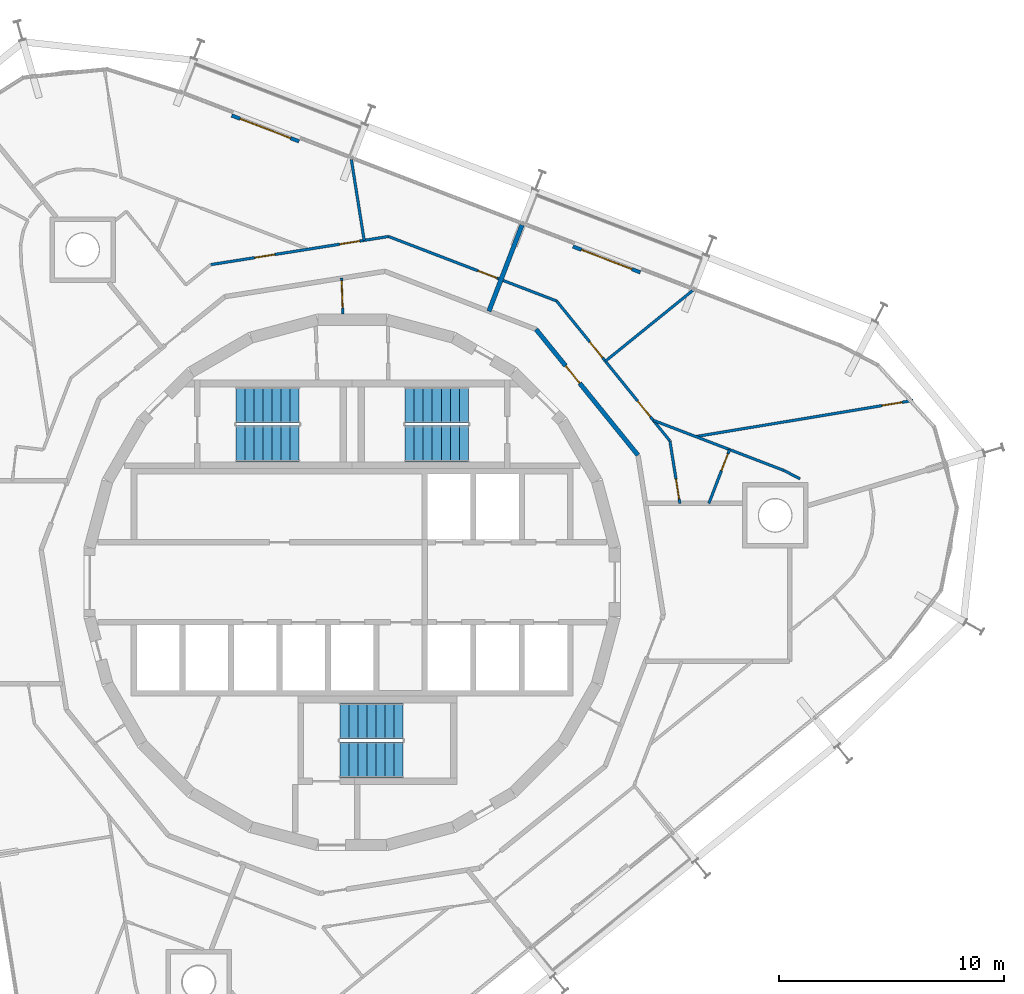
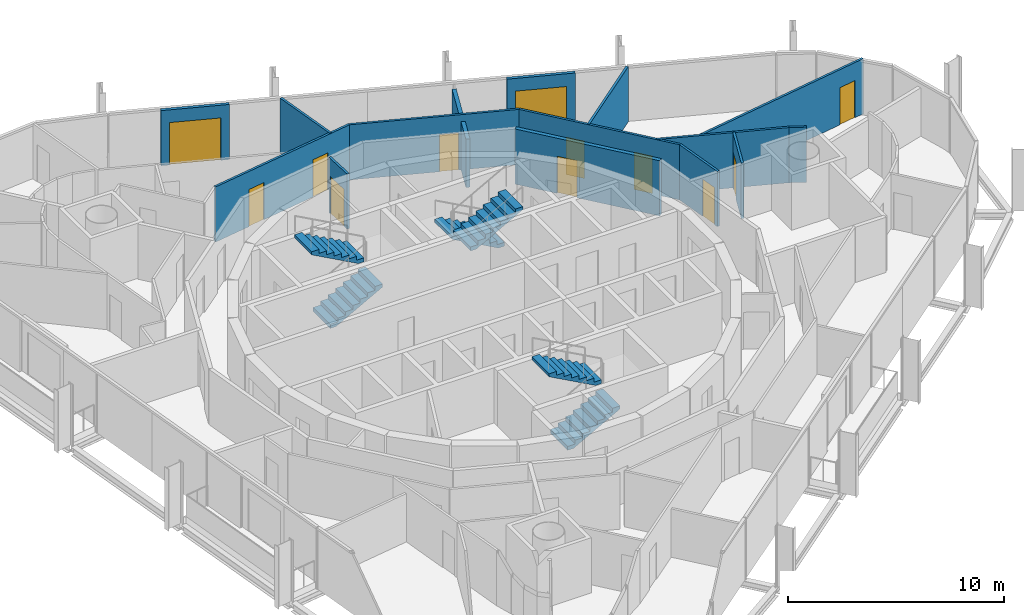
# One storey, part 16 of 17: 15 walls, 12 doors, 6 stair flights, 12 openings, 3 elements without a shape of their own.
"""IFC4 building model written with IfcOpenShell, lengths in metres."""

from ifc_helpers import new_model, si_unit, direction, frame, frame_2d, origin, place, context, subcontext, project, spatial, polyline, rectangle, outline, extrude, material, layer, layer_set, type_object, element, fill, aggregate, save


model = new_model("IFC4")

# Units and contexts
model_context = context("Model", 3, precision=1e-05, world=origin(), true_north=direction((0.0, 1.0)))
body_context = subcontext(model_context, "Body", "Model", "MODEL_VIEW")
ifc_project = project(units=[si_unit("LENGTHUNIT", "METRE"), si_unit("AREAUNIT", "SQUARE_METRE"), si_unit("VOLUMEUNIT", "CUBIC_METRE"), si_unit("PLANEANGLEUNIT", "RADIAN"), si_unit("MASSUNIT", "GRAM", prefix="KILO")], contexts=[model_context])

# Site, building, storey
site_placement = place(None, origin())
site = spatial("IfcSite", under=ifc_project, at=site_placement, CompositionType="ELEMENT")
building_placement = place(site_placement, origin())
building = spatial("IfcBuilding", under=site, at=building_placement, Name="Spindle Arch Residences", CompositionType="ELEMENT")
storey_placement = place(building_placement, frame((0.0, 0.0, 266.89990234375)))
storey = spatial("IfcBuildingStorey", under=building, at=storey_placement, Name="L68", CompositionType="ELEMENT", Elevation=266.89990234375)

# Wall, opening, door
ifc_material_1 = material(Name="Plasterboard on steel studs", Category="steel")
ifc_layer_1 = layer(ifc_material_1, 0.1201171875)
ifc_layer_set_1 = layer_set([ifc_layer_1], Name="Corridor division wall 120")
wall_type_1 = type_object("IfcWallType", Name="Corridor division wall 120", PredefinedType="PARTITIONING", material=ifc_layer_set_1)
wall_1_placement = place(storey_placement, frame((-0.47119140625, 13.492431640625, 0.0), z_axis=(0.0, 0.0, 1.0), x_axis=(0.034873173869, -0.999391745886, 0.0)))
wall_1 = element("IfcWall", 1, at=wall_1_placement, inside=storey, type_object=wall_type_1, Name="Corridor division wall R7A1-W001", PredefinedType="PARTITIONING", context=body_context, shape_type="SweptSolid", body=[
    extrude(rectangle(XDim=1.59619140625, YDim=0.1201171875, at=frame_2d((0.798095703125, 0.0))), origin(), (0.0, 0.0, 1.0), 3.1201171875),
])
opening_1_placement = place(wall_1_placement, frame((0.1201171875, 0.0, 0.0)))
opening_1 = element("IfcOpeningElement", 2, at=opening_1_placement, cuts=wall_1, Name="Opening R7A1-CD01", PredefinedType="OPENING", context=body_context, shape_type="SweptSolid", body=[
    extrude(rectangle(XDim=1.199951171875, YDim=2.10009765625, at=frame_2d((0.60009765625, 1.050048828125))), frame((0.0, 0.070068359375, 0.0), z_axis=(0.0, -1.0, 0.0), x_axis=(1.0, 0.0, 0.0)), (0.0, 0.0, 1.0), 0.14013671875),
])
ifc_material_2 = material(Name="Steel, fire-resisting door", Category="steel")
door_type_1 = type_object("IfcDoorType", Name="Corridor division door 1200x2100", OperationType="NOTDEFINED", PredefinedType="DOOR", material=ifc_material_2)
door_1_placement = place(opening_1_placement, origin())
door_1 = element("IfcDoor", 3, at=door_1_placement, inside=storey, type_object=door_type_1, Name="Corridor division door R7A1-CD01", OperationType="DOUBLE_DOOR_SINGLE_SWING", OverallHeight=2.10009765625, OverallWidth=1.199951171875, PredefinedType="DOOR", context=body_context, shape_type="SweptSolid", body=[
    extrude(rectangle(XDim=1.199951171875, YDim=2.10009765625, at=frame_2d((0.60009765625, 1.050048828125))), frame((0.0, 0.02490234375, 0.0), z_axis=(0.0, -1.0, 0.0), x_axis=(1.0, 0.0, 0.0)), (0.0, 0.0, 1.0), 0.050048828125),
])
fill(opening_1, door_1)

ifc_material_3 = material(Name="Calcium silicate block, plastered")
ifc_layer_2 = layer(ifc_material_3, 0.199951171875)
ifc_layer_set_2 = layer_set([ifc_layer_2], Name="Corridor wall 200")
wall_type_2 = type_object("IfcWallType", Name="Corridor wall 200", PredefinedType="STANDARD", material=ifc_layer_set_2)
wall_2_placement = place(storey_placement, frame((12.67333984375, 5.642578125, 0.0), z_axis=(0.0, 0.0, 1.0), x_axis=(-0.629302871585, 0.777160148113, 0.0)))
wall_2 = element("IfcWall", 4, at=wall_2_placement, inside=storey, type_object=wall_type_2, Name="Corridor wall R7A1-W006", PredefinedType="STANDARD", context=body_context, shape_type="SweptSolid", body=[
    extrude(rectangle(XDim=7.180908203125, YDim=0.199951171875, at=frame_2d((3.59033203125, 0.0))), origin(), (0.0, 0.0, 1.0), 3.1201171875),
])
opening_2_placement = place(wall_2_placement, frame((4.10009765625, 0.0, 0.0)))
opening_2 = element("IfcOpeningElement", 5, at=opening_2_placement, cuts=wall_2, Name="Opening R7A1-FD01", PredefinedType="OPENING", context=body_context, shape_type="SweptSolid", body=[
    extrude(rectangle(XDim=1.0, YDim=2.10009765625, at=frame_2d((0.5, 1.050048828125))), frame((0.0, 0.10986328125, 0.0), z_axis=(0.0, -1.0, 0.0), x_axis=(1.0, 0.0, 0.0)), (0.0, 0.0, 1.0), 0.219970703125),
])
ifc_material_4 = material(Name="Timber, fire-resisting door set", Category="wood")
door_type_2 = type_object("IfcDoorType", Name="Flat entrance door 1000x2100", OperationType="NOTDEFINED", PredefinedType="DOOR", material=ifc_material_4)
door_2_placement = place(opening_2_placement, origin())
door_2 = element("IfcDoor", 6, at=door_2_placement, inside=storey, type_object=door_type_2, Name="Flat entrance door R7A1-FD01", OperationType="SINGLE_SWING_LEFT", OverallHeight=2.10009765625, OverallWidth=1.0, PredefinedType="DOOR", context=body_context, shape_type="SweptSolid", body=[
    extrude(rectangle(XDim=1.0, YDim=2.10009765625, at=frame_2d((0.5, 1.050048828125))), frame((0.0, 0.02490234375, 0.0), z_axis=(0.0, -1.0, 0.0), x_axis=(1.0, 0.0, 0.0)), (0.0, 0.0, 1.0), 0.050048828125),
])
fill(opening_2, door_2)

ifc_material_5 = material(Name="Plasterboard on steel studs", Category="steel")
ifc_layer_3 = layer(ifc_material_5, 0.1201171875)
ifc_layer_set_3 = layer_set([ifc_layer_3], Name="Flat partition 120")
wall_type_3 = type_object("IfcWallType", Name="Flat partition 120", PredefinedType="PARTITIONING", material=ifc_layer_set_3)
wall_3_placement = place(storey_placement, frame((14.531494140625, 3.5, 0.0), z_axis=(0.0, 0.0, 1.0), x_axis=(-0.1564580042, 0.987684612071, 0.0)))
wall_3 = element("IfcWall", 7, at=wall_3_placement, inside=storey, type_object=wall_type_3, Name="Flat partition R7A1-W030", PredefinedType="PARTITIONING", context=body_context, shape_type="SweptSolid", body=[
    extrude(rectangle(XDim=2.808837890625, YDim=0.1201171875, at=frame_2d((1.404296875, 0.0))), origin(), (0.0, 0.0, 1.0), 3.1201171875),
])
opening_3_placement = place(wall_3_placement, frame((0.199951171875, 0.0, 0.0)))
opening_3 = element("IfcOpeningElement", 8, at=opening_3_placement, cuts=wall_3, Name="Opening R7A1-ID01", PredefinedType="OPENING", context=body_context, shape_type="SweptSolid", body=[
    extrude(rectangle(XDim=0.89990234375, YDim=2.10009765625, at=frame_2d((0.449951171875, 1.050048828125))), frame((0.0, 0.070068359375, 0.0), z_axis=(0.0, -1.0, 0.0), x_axis=(1.0, 0.0, 0.0)), (0.0, 0.0, 1.0), 0.14013671875),
])
ifc_material_6 = material(Name="Timber door set", Category="wood")
door_type_3 = type_object("IfcDoorType", Name="Room door 900x2100", OperationType="NOTDEFINED", PredefinedType="DOOR", material=ifc_material_6)
door_3_placement = place(opening_3_placement, origin())
door_3 = element("IfcDoor", 9, at=door_3_placement, inside=storey, type_object=door_type_3, Name="Room door R7A1-ID01", OperationType="SINGLE_SWING_LEFT", OverallHeight=2.10009765625, OverallWidth=0.89990234375, PredefinedType="DOOR", context=body_context, shape_type="SweptSolid", body=[
    extrude(rectangle(XDim=0.89990234375, YDim=2.10009765625, at=frame_2d((0.449951171875, 1.050048828125))), frame((0.0, 0.02490234375, 0.0), z_axis=(0.0, -1.0, 0.0), x_axis=(1.0, 0.0, 0.0)), (0.0, 0.0, 1.0), 0.050048828125),
])
fill(opening_3, door_3)

# Wall, openings, doors
wall_4_placement = place(storey_placement, frame((14.092041015625, 6.274169921875, 0.0), z_axis=(0.0, 0.0, 1.0), x_axis=(-0.62933367237, 0.777135206268, 0.0)))
wall_4 = element("IfcWall", 10, at=wall_4_placement, inside=storey, type_object=wall_type_3, Name="Flat partition R7A1-W031", PredefinedType="PARTITIONING", context=body_context, shape_type="SweptSolid", body=[
    extrude(rectangle(XDim=7.98486328125, YDim=0.1201171875, at=frame_2d((3.992431640625, 0.0))), origin(), (0.0, 0.0, 1.0), 3.1201171875),
])
opening_4_placement = place(wall_4_placement, frame((1.3779296875, 0.0, 0.0)))
opening_4 = element("IfcOpeningElement", 11, at=opening_4_placement, cuts=wall_4, Name="Opening R7A1-ID02", PredefinedType="OPENING", context=body_context, shape_type="SweptSolid", body=[
    extrude(rectangle(XDim=0.89990234375, YDim=2.10009765625, at=frame_2d((0.449951171875, 1.050048828125))), frame((0.0, 0.070068359375, 0.0), z_axis=(0.0, -1.0, 0.0), x_axis=(1.0, 0.0, 0.0)), (0.0, 0.0, 1.0), 0.14013671875),
])
opening_5_placement = place(wall_4_placement, frame((4.7490234375, 0.0, 0.0)))
opening_5 = element("IfcOpeningElement", 12, at=opening_5_placement, cuts=wall_4, Name="Opening R7A1-ID03", PredefinedType="OPENING", context=body_context, shape_type="SweptSolid", body=[
    extrude(rectangle(XDim=0.89990234375, YDim=2.10009765625, at=frame_2d((0.449951171875, 1.050048828125))), frame((0.0, 0.070068359375, 0.0), z_axis=(0.0, -1.0, 0.0), x_axis=(1.0, 0.0, 0.0)), (0.0, 0.0, 1.0), 0.14013671875),
])
door_4_placement = place(opening_4_placement, origin())
door_4 = element("IfcDoor", 13, at=door_4_placement, inside=storey, type_object=door_type_3, Name="Room door R7A1-ID02", OperationType="SINGLE_SWING_LEFT", OverallHeight=2.10009765625, OverallWidth=0.89990234375, PredefinedType="DOOR", context=body_context, shape_type="SweptSolid", body=[
    extrude(rectangle(XDim=0.89990234375, YDim=2.10009765625, at=frame_2d((0.449951171875, 1.050048828125))), frame((0.0, 0.02490234375, 0.0), z_axis=(0.0, -1.0, 0.0), x_axis=(1.0, 0.0, 0.0)), (0.0, 0.0, 1.0), 0.050048828125),
])
fill(opening_4, door_4)
door_5_placement = place(opening_5_placement, origin())
door_5 = element("IfcDoor", 14, at=door_5_placement, inside=storey, type_object=door_type_3, Name="Room door R7A1-ID03", OperationType="SINGLE_SWING_LEFT", OverallHeight=2.10009765625, OverallWidth=0.89990234375, PredefinedType="DOOR", context=body_context, shape_type="SweptSolid", body=[
    extrude(rectangle(XDim=0.89990234375, YDim=2.10009765625, at=frame_2d((0.449951171875, 1.050048828125))), frame((0.0, 0.02490234375, 0.0), z_axis=(0.0, -1.0, 0.0), x_axis=(1.0, 0.0, 0.0)), (0.0, 0.0, 1.0), 0.050048828125),
])
fill(opening_5, door_5)

# Wall, opening, door
wall_5_placement = place(storey_placement, frame((9.06689453125, 12.4794921875, 0.0), z_axis=(0.0, 0.0, 1.0), x_axis=(-0.933579449035, 0.358370495911, 0.0)))
wall_5 = element("IfcWall", 15, at=wall_5_placement, inside=storey, type_object=wall_type_3, Name="Flat partition R7A1-W032", PredefinedType="PARTITIONING", context=body_context, shape_type="SweptSolid", body=[
    extrude(rectangle(XDim=7.98486328125, YDim=0.1201171875, at=frame_2d((3.992431640625, 0.0))), origin(), (0.0, 0.0, 1.0), 3.1201171875),
])
opening_6_placement = place(wall_5_placement, frame((2.841064453125, 0.0, 0.0)))
opening_6 = element("IfcOpeningElement", 16, at=opening_6_placement, cuts=wall_5, Name="Opening R7A1-ID05", PredefinedType="OPENING", context=body_context, shape_type="SweptSolid", body=[
    extrude(rectangle(XDim=0.89990234375, YDim=2.10009765625, at=frame_2d((0.449951171875, 1.050048828125))), frame((0.0, 0.070068359375, 0.0), z_axis=(0.0, -1.0, 0.0), x_axis=(1.0, 0.0, 0.0)), (0.0, 0.0, 1.0), 0.14013671875),
])
door_6_placement = place(opening_6_placement, origin())
door_6 = element("IfcDoor", 17, at=door_6_placement, inside=storey, type_object=door_type_3, Name="Room door R7A1-ID05", OperationType="SINGLE_SWING_LEFT", OverallHeight=2.10009765625, OverallWidth=0.89990234375, PredefinedType="DOOR", context=body_context, shape_type="SweptSolid", body=[
    extrude(rectangle(XDim=0.89990234375, YDim=2.10009765625, at=frame_2d((0.449951171875, 1.050048828125))), frame((0.0, 0.02490234375, 0.0), z_axis=(0.0, -1.0, 0.0), x_axis=(1.0, 0.0, 0.0)), (0.0, 0.0, 1.0), 0.050048828125),
])
fill(opening_6, door_6)

# Walls
wall_6_placement = place(storey_placement, frame((19.864501953125, 4.589111328125, 0.0), z_axis=(0.0, 0.0, 1.0), x_axis=(-0.885855229108, 0.46396175819, 0.0)))
element("IfcWall", 18, at=wall_6_placement, inside=storey, type_object=wall_type_3, Name="Flat partition R7A1-W033", PredefinedType="PARTITIONING", context=body_context, shape_type="SweptSolid", body=[
    extrude(rectangle(XDim=0.806640625, YDim=0.1201171875, at=frame_2d((0.4033203125, 0.0))), origin(), (0.0, 0.0, 1.0), 3.1201171875),
])
wall_7_placement = place(storey_placement, frame((19.14990234375, 4.96337890625, 0.0), z_axis=(0.0, 0.0, 1.0), x_axis=(-0.933571304602, 0.358391711992, 0.0)))
element("IfcWall", 19, at=wall_7_placement, inside=storey, type_object=wall_type_3, Name="Flat partition R7A1-W034", PredefinedType="PARTITIONING", context=body_context, shape_type="SweptSolid", body=[
    extrude(rectangle(XDim=6.2119140625, YDim=0.1201171875, at=frame_2d((3.10595703125, 0.0))), origin(), (0.0, 0.0, 1.0), 3.1201171875),
])

# Wall, opening, door
wall_8_placement = place(storey_placement, frame((16.736572265625, 5.889892578125, 0.0), z_axis=(0.0, 0.0, 1.0), x_axis=(-0.358397454141, -0.933569100209, 0.0)))
wall_8 = element("IfcWall", 20, at=wall_8_placement, inside=storey, type_object=wall_type_3, Name="Flat partition R7A1-W035", PredefinedType="PARTITIONING", context=body_context, shape_type="SweptSolid", body=[
    extrude(rectangle(XDim=2.56005859375, YDim=0.1201171875, at=frame_2d((1.280029296875, 0.0))), origin(), (0.0, 0.0, 1.0), 3.1201171875),
])
opening_7_placement = place(wall_8_placement, frame((0.199951171875, 0.0, 0.0)))
opening_7 = element("IfcOpeningElement", 21, at=opening_7_placement, cuts=wall_8, Name="Opening R7A1-BD01", PredefinedType="OPENING", context=body_context, shape_type="SweptSolid", body=[
    extrude(rectangle(XDim=0.800048828125, YDim=2.10009765625, at=frame_2d((0.39990234375, 1.050048828125))), frame((0.0, 0.070068359375, 0.0), z_axis=(0.0, -1.0, 0.0), x_axis=(1.0, 0.0, 0.0)), (0.0, 0.0, 1.0), 0.14013671875),
])
ifc_material_7 = material(Name="Timber door set", Category="wood")
door_type_4 = type_object("IfcDoorType", Name="Bathroom door 800x2100", OperationType="NOTDEFINED", PredefinedType="DOOR", material=ifc_material_7)
door_7_placement = place(opening_7_placement, origin())
door_7 = element("IfcDoor", 22, at=door_7_placement, inside=storey, type_object=door_type_4, Name="Bathroom door R7A1-BD01", OperationType="SINGLE_SWING_LEFT", OverallHeight=2.10009765625, OverallWidth=0.800048828125, PredefinedType="DOOR", context=body_context, shape_type="SweptSolid", body=[
    extrude(rectangle(XDim=0.800048828125, YDim=2.10009765625, at=frame_2d((0.39990234375, 1.050048828125))), frame((0.0, 0.02490234375, 0.0), z_axis=(0.0, -1.0, 0.0), x_axis=(1.0, 0.0, 0.0)), (0.0, 0.0, 1.0), 0.050048828125),
])
fill(opening_7, door_7)

wall_9_placement = place(storey_placement, frame((24.8798828125, 8.07080078125, 0.0), z_axis=(0.0, 0.0, 1.0), x_axis=(-0.986414168431, -0.164277473558, 0.0)))
wall_9 = element("IfcWall", 23, at=wall_9_placement, inside=storey, type_object=wall_type_3, Name="Flat partition R7A1-W036", PredefinedType="PARTITIONING", context=body_context, shape_type="SweptSolid", body=[
    extrude(rectangle(XDim=9.7744140625, YDim=0.1201171875, at=frame_2d((4.88720703125, 0.0))), origin(), (0.0, 0.0, 1.0), 3.1201171875),
])
opening_8_placement = place(wall_9_placement, frame((0.5, 0.0, 0.0)))
opening_8 = element("IfcOpeningElement", 24, at=opening_8_placement, cuts=wall_9, Name="Opening R7A1-ID04", PredefinedType="OPENING", context=body_context, shape_type="SweptSolid", body=[
    extrude(rectangle(XDim=0.89990234375, YDim=2.10009765625, at=frame_2d((0.449951171875, 1.050048828125))), frame((0.0, 0.070068359375, 0.0), z_axis=(0.0, -1.0, 0.0), x_axis=(1.0, 0.0, 0.0)), (0.0, 0.0, 1.0), 0.14013671875),
])
door_8_placement = place(opening_8_placement, origin())
door_8 = element("IfcDoor", 25, at=door_8_placement, inside=storey, type_object=door_type_3, Name="Room door R7A1-ID04", OperationType="SINGLE_SWING_LEFT", OverallHeight=2.10009765625, OverallWidth=0.89990234375, PredefinedType="DOOR", context=body_context, shape_type="SweptSolid", body=[
    extrude(rectangle(XDim=0.89990234375, YDim=2.10009765625, at=frame_2d((0.449951171875, 1.050048828125))), frame((0.0, 0.02490234375, 0.0), z_axis=(0.0, -1.0, 0.0), x_axis=(1.0, 0.0, 0.0)), (0.0, 0.0, 1.0), 0.050048828125),
])
fill(opening_8, door_8)

# Wall
wall_10_placement = place(storey_placement, frame((15.100830078125, 12.944580078125, 0.0), z_axis=(0.0, 0.0, 1.0), x_axis=(-0.777178675378, -0.629279990575, 0.0)))
element("IfcWall", 26, at=wall_10_placement, inside=storey, type_object=wall_type_3, Name="Flat partition R7A1-W037", PredefinedType="PARTITIONING", context=body_context, shape_type="SweptSolid", body=[
    extrude(rectangle(XDim=4.98193359375, YDim=0.1201171875, at=frame_2d((2.490966796875, 0.0))), origin(), (0.0, 0.0, 1.0), 3.1201171875),
])

# Wall, openings, doors
wall_11_placement = place(storey_placement, frame((1.6123046875, 15.341064453125, 0.0), z_axis=(0.0, 0.0, 1.0), x_axis=(-0.987689722749, -0.156425738216, 0.0)))
wall_11 = element("IfcWall", 27, at=wall_11_placement, inside=storey, type_object=wall_type_3, Name="Flat partition R7A1-W038", PredefinedType="PARTITIONING", context=body_context, shape_type="SweptSolid", body=[
    extrude(rectangle(XDim=7.98486328125, YDim=0.1201171875, at=frame_2d((3.992431640625, 0.0))), origin(), (0.0, 0.0, 1.0), 3.1201171875),
])
opening_9_placement = place(wall_11_placement, frame((1.29541015625, 0.0, 0.0)))
opening_9 = element("IfcOpeningElement", 28, at=opening_9_placement, cuts=wall_11, Name="Opening R7A1-ID06", PredefinedType="OPENING", context=body_context, shape_type="SweptSolid", body=[
    extrude(rectangle(XDim=0.89990234375, YDim=2.10009765625, at=frame_2d((0.449951171875, 1.050048828125))), frame((0.0, 0.070068359375, 0.0), z_axis=(0.0, -1.0, 0.0), x_axis=(1.0, 0.0, 0.0)), (0.0, 0.0, 1.0), 0.14013671875),
])
opening_10_placement = place(wall_11_placement, frame((5.10693359375, 0.0, 0.0)))
opening_10 = element("IfcOpeningElement", 29, at=opening_10_placement, cuts=wall_11, Name="Opening R7A1-ID07", PredefinedType="OPENING", context=body_context, shape_type="SweptSolid", body=[
    extrude(rectangle(XDim=0.89990234375, YDim=2.10009765625, at=frame_2d((0.449951171875, 1.050048828125))), frame((0.0, 0.070068359375, 0.0), z_axis=(0.0, -1.0, 0.0), x_axis=(1.0, 0.0, 0.0)), (0.0, 0.0, 1.0), 0.14013671875),
])
door_9_placement = place(opening_9_placement, origin())
door_9 = element("IfcDoor", 30, at=door_9_placement, inside=storey, type_object=door_type_3, Name="Room door R7A1-ID06", OperationType="SINGLE_SWING_RIGHT", OverallHeight=2.10009765625, OverallWidth=0.89990234375, PredefinedType="DOOR", context=body_context, shape_type="SweptSolid", body=[
    extrude(rectangle(XDim=0.89990234375, YDim=2.10009765625, at=frame_2d((0.449951171875, 1.050048828125))), frame((0.0, 0.02490234375, 0.0), z_axis=(0.0, -1.0, 0.0), x_axis=(1.0, 0.0, 0.0)), (0.0, 0.0, 1.0), 0.050048828125),
])
fill(opening_9, door_9)
door_10_placement = place(opening_10_placement, origin())
door_10 = element("IfcDoor", 31, at=door_10_placement, inside=storey, type_object=door_type_3, Name="Room door R7A1-ID07", OperationType="SINGLE_SWING_RIGHT", OverallHeight=2.10009765625, OverallWidth=0.89990234375, PredefinedType="DOOR", context=body_context, shape_type="SweptSolid", body=[
    extrude(rectangle(XDim=0.89990234375, YDim=2.10009765625, at=frame_2d((0.449951171875, 1.050048828125))), frame((0.0, 0.02490234375, 0.0), z_axis=(0.0, -1.0, 0.0), x_axis=(1.0, 0.0, 0.0)), (0.0, 0.0, 1.0), 0.050048828125),
])
fill(opening_10, door_10)

# Walls
wall_12_placement = place(storey_placement, frame((-0.037353515625, 18.755615234375, 0.0), z_axis=(0.0, 0.0, 1.0), x_axis=(0.156421851095, -0.987690338365, 0.0)))
element("IfcWall", 32, at=wall_12_placement, inside=storey, type_object=wall_type_3, Name="Flat partition R7A1-W042", PredefinedType="PARTITIONING", context=body_context, shape_type="SweptSolid", body=[
    extrude(rectangle(XDim=3.63037109375, YDim=0.1201171875, at=frame_2d((1.815185546875, 0.0))), origin(), (0.0, 0.0, 1.0), 3.1201171875),
])
ifc_material_8 = material(Name="Calcium silicate block, plastered")
ifc_layer_4 = layer(ifc_material_8, 0.199951171875)
ifc_layer_set_4 = layer_set([ifc_layer_4], Name="Flat party wall 200 under beam 2730")
wall_type_4 = type_object("IfcWallType", Name="Flat party wall 200 under beam 2730", PredefinedType="STANDARD", material=ifc_layer_set_4)
wall_13_placement = place(storey_placement, frame((7.53173828125, 15.85009765625, 0.0), z_axis=(0.0, 0.0, 1.0), x_axis=(-0.358355996975, -0.933585014571, 0.0)))
element("IfcWall", 33, at=wall_13_placement, inside=storey, type_object=wall_type_4, Name="Flat party wall R7A1-W023", PredefinedType="STANDARD", context=body_context, shape_type="SweptSolid", body=[
    extrude(rectangle(XDim=4.096435546875, YDim=0.199951171875, at=frame_2d((2.04833984375, 0.0))), origin(), (0.0, 0.0, 1.0), 2.72998046875),
])

# Wall, opening, door
ifc_material_9 = material(Name="Non-combustible mineral wool insulated aluminium faced external wall (K0)", Category="aluminium")
ifc_layer_5 = layer(ifc_material_9, 0.159912109375)
ifc_layer_set_5 = layer_set([ifc_layer_5], Name="Insulated external wall panel 160")
wall_type_5 = type_object("IfcWallType", Name="Insulated external wall panel 160", PredefinedType="STANDARD", material=ifc_layer_set_5)
wall_14_placement = place(storey_placement, frame((12.78125, 13.74951171875, 0.0), z_axis=(0.0, 0.0, 1.0), x_axis=(-0.933579413923, 0.358370587381, 0.0)))
wall_14 = element("IfcWall", 34, at=wall_14_placement, inside=storey, type_object=wall_type_5, Name="External wall L68 bay 6", PredefinedType="STANDARD", context=body_context, shape_type="SweptSolid", body=[
    extrude(rectangle(XDim=3.199951171875, YDim=0.159912109375, at=frame_2d((1.60009765625, 0.0))), origin(), (0.0, 0.0, 1.0), 3.1201171875),
])
opening_11_placement = place(wall_14_placement, frame((0.39990234375, 0.0, 0.0)))
opening_11 = element("IfcOpeningElement", 35, at=opening_11_placement, cuts=wall_14, Name="Opening BD06", PredefinedType="OPENING", context=body_context, shape_type="SweptSolid", body=[
    extrude(rectangle(XDim=2.39990234375, YDim=2.39990234375, at=frame_2d((1.199951171875, 1.199951171875))), frame((0.0, 0.08984375, 0.0), z_axis=(0.0, -1.0, 0.0), x_axis=(1.0, 0.0, 0.0)), (0.0, 0.0, 1.0), 0.179931640625),
])
ifc_material_10 = material(Name="Bronze aluminium frame, tinted double glazing", Category="aluminium")
door_type_5 = type_object("IfcDoorType", Name="Sliding glazed balcony door 2400x2400", OperationType="DOUBLE_DOOR_SLIDING", PredefinedType="DOOR", material=ifc_material_10)
door_11_placement = place(opening_11_placement, origin())
door_11 = element("IfcDoor", 36, at=door_11_placement, inside=storey, type_object=door_type_5, Name="Balcony door BD06", OperationType="DOUBLE_DOOR_SLIDING", OverallHeight=2.39990234375, OverallWidth=2.39990234375, PredefinedType="DOOR", context=body_context, shape_type="SweptSolid", body=[
    extrude(rectangle(XDim=2.39990234375, YDim=2.39990234375, at=frame_2d((1.199951171875, 1.199951171875))), frame((0.0, 0.02490234375, 0.0), z_axis=(0.0, -1.0, 0.0), x_axis=(1.0, 0.0, 0.0)), (0.0, 0.0, 1.0), 0.050048828125),
])
fill(opening_11, door_11)

wall_15_placement = place(storey_placement, frame((-2.35693359375, 19.560302734375, 0.0), z_axis=(0.0, 0.0, 1.0), x_axis=(-0.933553885508, 0.358437083534, 0.0)))
wall_15 = element("IfcWall", 37, at=wall_15_placement, inside=storey, type_object=wall_type_5, Name="External wall L68 bay 8", PredefinedType="STANDARD", context=body_context, shape_type="SweptSolid", body=[
    extrude(rectangle(XDim=3.199951171875, YDim=0.159912109375, at=frame_2d((1.60009765625, 0.0))), origin(), (0.0, 0.0, 1.0), 3.1201171875),
])
opening_12_placement = place(wall_15_placement, frame((0.39990234375, 0.0, 0.0)))
opening_12 = element("IfcOpeningElement", 38, at=opening_12_placement, cuts=wall_15, Name="Opening BD08", PredefinedType="OPENING", context=body_context, shape_type="SweptSolid", body=[
    extrude(rectangle(XDim=2.39990234375, YDim=2.39990234375, at=frame_2d((1.199951171875, 1.199951171875))), frame((0.0, 0.08984375, 0.0), z_axis=(0.0, -1.0, 0.0), x_axis=(1.0, 0.0, 0.0)), (0.0, 0.0, 1.0), 0.179931640625),
])
door_12_placement = place(opening_12_placement, origin())
door_12 = element("IfcDoor", 39, at=door_12_placement, inside=storey, type_object=door_type_5, Name="Balcony door BD08", OperationType="DOUBLE_DOOR_SLIDING", OverallHeight=2.39990234375, OverallWidth=2.39990234375, PredefinedType="DOOR", context=body_context, shape_type="SweptSolid", body=[
    extrude(rectangle(XDim=2.39990234375, YDim=2.39990234375, at=frame_2d((1.199951171875, 1.199951171875))), frame((0.0, 0.02490234375, 0.0), z_axis=(0.0, -1.0, 0.0), x_axis=(1.0, 0.0, 0.0)), (0.0, 0.0, 1.0), 0.050048828125),
])
fill(opening_12, door_12)

# Stair, stair flights
ifc_material_11 = material(Name="Concrete C50/60", Category="concrete")
stair_type = type_object("IfcStairType", Name="Exit stair 16 risers", PredefinedType="HALF_TURN_STAIR", material=ifc_material_11)
stair_1_placement = place(storey_placement, origin())
stair_1 = element("IfcStair", 40, at=stair_1_placement, inside=storey, type_object=stair_type, Name="L68 Exit stair ST1", PredefinedType="HALF_TURN_STAIR")
ifc_material_12 = material(Name="Concrete C50/60", Category="concrete")
stair_flight_type = type_object("IfcStairFlightType", Name="Exit stair flight", PredefinedType="STRAIGHT", material=ifc_material_12)
stair_flight_1_placement = place(storey_placement, frame((5.14990234375, 7.8701171875, 0.0), z_axis=(0.0, 0.0, 1.0), x_axis=(-1.0, 0.0, 0.0)))
stair_flight_1 = element("IfcStairFlight", 41, at=stair_flight_1_placement, type_object=stair_flight_type, Name="ST1 flight 1", NumberOfRisers=8, NumberOfTreads=7, PredefinedType="STRAIGHT", RiserHeight=0.21875, TreadLength=0.4, context=body_context, shape_type="SweptSolid", body=[
    extrude(outline(polyline([(0.0, 0.0), (0.0, 0.21875), (0.39990234375, 0.21875), (0.39990234375, 0.4375), (0.800048828125, 0.4375), (0.800048828125, 0.65625), (1.199951171875, 0.65625), (1.199951171875, 0.875), (1.60009765625, 0.875), (1.60009765625, 1.09375), (2.0, 1.09375), (2.0, 1.3125), (2.39990234375, 1.3125), (2.39990234375, 1.53125), (2.800048828125, 1.53125), (2.800048828125, 1.75), (2.800048828125, 1.3603515625), (0.3125, 0.0), (0.0, 0.0)])), frame((0.0, 0.800048828125, 0.0), z_axis=(0.0, -1.0, 0.0), x_axis=(1.0, 0.0, 0.0)), (0.0, 0.0, 1.0), 1.60009765625),
])
stair_flight_2_placement = place(storey_placement, frame((2.35009765625, 6.14990234375, 1.75), z_axis=(0.0, 0.0, 1.0), x_axis=(1.0, 0.0, 0.0)))
stair_flight_2 = element("IfcStairFlight", 42, at=stair_flight_2_placement, type_object=stair_flight_type, Name="ST1 flight 2", NumberOfRisers=8, NumberOfTreads=7, PredefinedType="STRAIGHT", RiserHeight=0.21875, TreadLength=0.4, context=body_context, shape_type="SweptSolid", body=[
    extrude(outline(polyline([(0.0, 0.0), (0.0, 0.21875), (0.39990234375, 0.21875), (0.39990234375, 0.4375), (0.800048828125, 0.4375), (0.800048828125, 0.65625), (1.199951171875, 0.65625), (1.199951171875, 0.875), (1.60009765625, 0.875), (1.60009765625, 1.09375), (2.0, 1.09375), (2.0, 1.3125), (2.39990234375, 1.3125), (2.39990234375, 1.53125), (2.800048828125, 1.53125), (2.800048828125, 1.75), (2.800048828125, 1.3603515625), (0.3125, 0.0), (0.0, 0.0)])), frame((0.0, 0.800048828125, 0.0), z_axis=(0.0, -1.0, 0.0), x_axis=(1.0, 0.0, 0.0)), (0.0, 0.0, 1.0), 1.60009765625),
])
aggregate(stair_1, [stair_flight_1, stair_flight_2])

stair_2_placement = place(storey_placement, origin())
stair_2 = element("IfcStair", 43, at=stair_2_placement, inside=storey, type_object=stair_type, Name="L68 Exit stair ST2", PredefinedType="HALF_TURN_STAIR")
stair_flight_3_placement = place(storey_placement, frame((-5.14990234375, 6.14990234375, 0.0), z_axis=(0.0, 0.0, 1.0), x_axis=(1.0, 0.0, 0.0)))
stair_flight_3 = element("IfcStairFlight", 44, at=stair_flight_3_placement, type_object=stair_flight_type, Name="ST2 flight 1", NumberOfRisers=8, NumberOfTreads=7, PredefinedType="STRAIGHT", RiserHeight=0.21875, TreadLength=0.4, context=body_context, shape_type="SweptSolid", body=[
    extrude(outline(polyline([(0.0, 0.0), (0.0, 0.21875), (0.39990234375, 0.21875), (0.39990234375, 0.4375), (0.800048828125, 0.4375), (0.800048828125, 0.65625), (1.199951171875, 0.65625), (1.199951171875, 0.875), (1.60009765625, 0.875), (1.60009765625, 1.09375), (2.0, 1.09375), (2.0, 1.3125), (2.39990234375, 1.3125), (2.39990234375, 1.53125), (2.800048828125, 1.53125), (2.800048828125, 1.75), (2.800048828125, 1.3603515625), (0.3125, 0.0), (0.0, 0.0)])), frame((0.0, 0.800048828125, 0.0), z_axis=(0.0, -1.0, 0.0), x_axis=(1.0, 0.0, 0.0)), (0.0, 0.0, 1.0), 1.60009765625),
])
stair_flight_4_placement = place(storey_placement, frame((-2.35009765625, 7.8701171875, 1.75), z_axis=(0.0, 0.0, 1.0), x_axis=(-1.0, 0.0, 0.0)))
stair_flight_4 = element("IfcStairFlight", 45, at=stair_flight_4_placement, type_object=stair_flight_type, Name="ST2 flight 2", NumberOfRisers=8, NumberOfTreads=7, PredefinedType="STRAIGHT", RiserHeight=0.21875, TreadLength=0.4, context=body_context, shape_type="SweptSolid", body=[
    extrude(outline(polyline([(0.0, 0.0), (0.0, 0.21875), (0.39990234375, 0.21875), (0.39990234375, 0.4375), (0.800048828125, 0.4375), (0.800048828125, 0.65625), (1.199951171875, 0.65625), (1.199951171875, 0.875), (1.60009765625, 0.875), (1.60009765625, 1.09375), (2.0, 1.09375), (2.0, 1.3125), (2.39990234375, 1.3125), (2.39990234375, 1.53125), (2.800048828125, 1.53125), (2.800048828125, 1.75), (2.800048828125, 1.3603515625), (0.3125, 0.0), (0.0, 0.0)])), frame((0.0, 0.800048828125, 0.0), z_axis=(0.0, -1.0, 0.0), x_axis=(1.0, 0.0, 0.0)), (0.0, 0.0, 1.0), 1.60009765625),
])
aggregate(stair_2, [stair_flight_3, stair_flight_4])

stair_3_placement = place(storey_placement, origin())
stair_3 = element("IfcStair", 46, at=stair_3_placement, inside=storey, type_object=stair_type, Name="L68 Exit stair ST3", PredefinedType="HALF_TURN_STAIR")
stair_flight_5_placement = place(storey_placement, frame((-0.550048828125, -7.8701171875, 0.0), z_axis=(0.0, 0.0, 1.0), x_axis=(1.0, 0.0, 0.0)))
stair_flight_5 = element("IfcStairFlight", 47, at=stair_flight_5_placement, type_object=stair_flight_type, Name="ST3 flight 1", NumberOfRisers=8, NumberOfTreads=7, PredefinedType="STRAIGHT", RiserHeight=0.21875, TreadLength=0.4, context=body_context, shape_type="SweptSolid", body=[
    extrude(outline(polyline([(0.0, 0.0), (0.0, 0.21875), (0.39990234375, 0.21875), (0.39990234375, 0.4375), (0.800048828125, 0.4375), (0.800048828125, 0.65625), (1.199951171875, 0.65625), (1.199951171875, 0.875), (1.60009765625, 0.875), (1.60009765625, 1.09375), (2.0, 1.09375), (2.0, 1.3125), (2.39990234375, 1.3125), (2.39990234375, 1.53125), (2.800048828125, 1.53125), (2.800048828125, 1.75), (2.800048828125, 1.3603515625), (0.3125, 0.0), (0.0, 0.0)])), frame((0.0, 0.800048828125, 0.0), z_axis=(0.0, -1.0, 0.0), x_axis=(1.0, 0.0, 0.0)), (0.0, 0.0, 1.0), 1.60009765625),
])
stair_flight_6_placement = place(storey_placement, frame((2.25, -6.14990234375, 1.75), z_axis=(0.0, 0.0, 1.0), x_axis=(-1.0, 0.0, 0.0)))
stair_flight_6 = element("IfcStairFlight", 48, at=stair_flight_6_placement, type_object=stair_flight_type, Name="ST3 flight 2", NumberOfRisers=8, NumberOfTreads=7, PredefinedType="STRAIGHT", RiserHeight=0.21875, TreadLength=0.4, context=body_context, shape_type="SweptSolid", body=[
    extrude(outline(polyline([(0.0, 0.0), (0.0, 0.21875), (0.39990234375, 0.21875), (0.39990234375, 0.4375), (0.800048828125, 0.4375), (0.800048828125, 0.65625), (1.199951171875, 0.65625), (1.199951171875, 0.875), (1.60009765625, 0.875), (1.60009765625, 1.09375), (2.0, 1.09375), (2.0, 1.3125), (2.39990234375, 1.3125), (2.39990234375, 1.53125), (2.800048828125, 1.53125), (2.800048828125, 1.75), (2.800048828125, 1.3603515625), (0.3125, 0.0), (0.0, 0.0)])), frame((0.0, 0.800048828125, 0.0), z_axis=(0.0, -1.0, 0.0), x_axis=(1.0, 0.0, 0.0)), (0.0, 0.0, 1.0), 1.60009765625),
])
aggregate(stair_3, [stair_flight_5, stair_flight_6])

save(model, "model.ifc")
